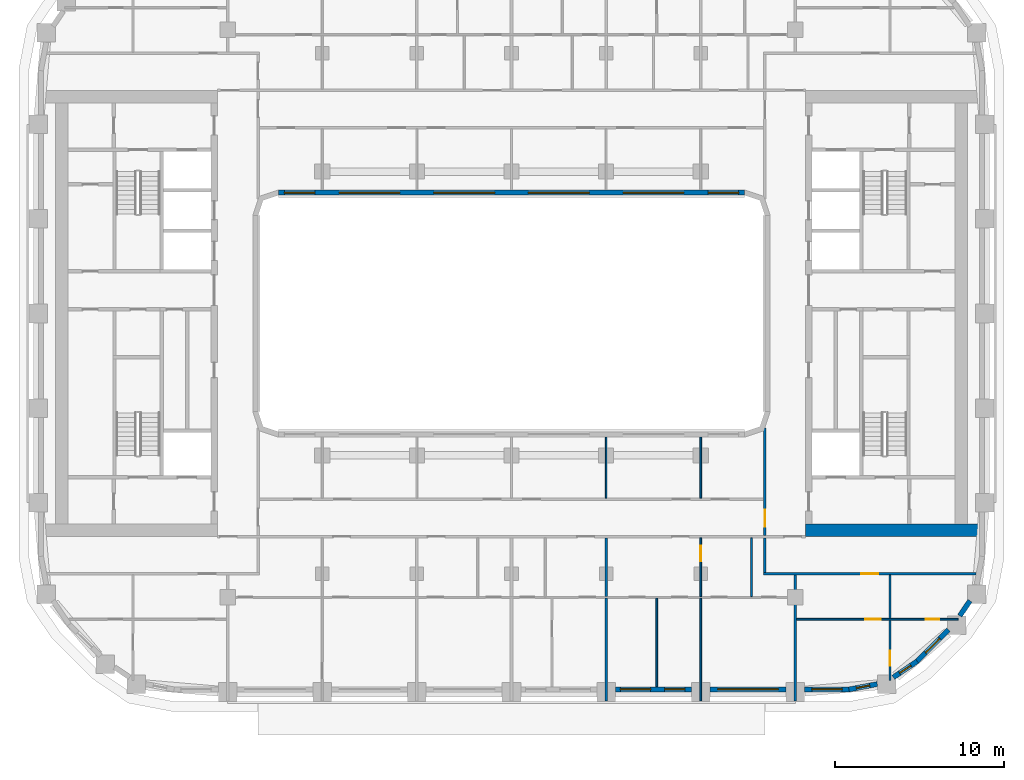
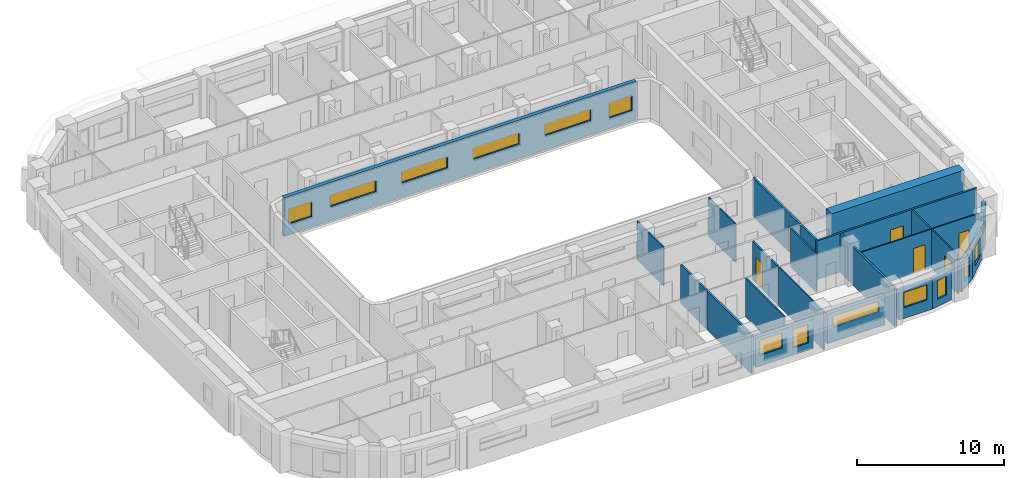
# One storey, part 5 of 22: 24 walls, 13 windows, 6 doors, 19 openings.
"""IFC4 building model written with IfcOpenShell, lengths in metres."""

from ifc_helpers import new_model, si_unit, direction, frame, frame_2d, origin, place, context, subcontext, project, spatial, rectangle, extrude, material, layer, layer_set, type_object, element, fill, save


model = new_model("IFC4")

# Units and contexts
model_context = context("Model", 3, precision=1e-05, world=origin(), true_north=direction((0.0, 1.0)))
body_context = subcontext(model_context, "Body", "Model", "MODEL_VIEW")
ifc_project = project(units=[si_unit("LENGTHUNIT", "METRE"), si_unit("AREAUNIT", "SQUARE_METRE"), si_unit("VOLUMEUNIT", "CUBIC_METRE"), si_unit("PLANEANGLEUNIT", "RADIAN"), si_unit("MASSUNIT", "GRAM", prefix="KILO")], contexts=[model_context])

# Site, building, storey
site_placement = place(None, origin())
site = spatial("IfcSite", under=ifc_project, at=site_placement, CompositionType="ELEMENT")
building_placement = place(site_placement, origin())
building = spatial("IfcBuilding", under=site, at=building_placement, Name="Kiln Ring Residences", CompositionType="ELEMENT")
storey_placement = place(building_placement, frame((0.0, 0.0, 143.10009765625)))
storey = spatial("IfcBuildingStorey", under=building, at=storey_placement, Name="L36", CompositionType="ELEMENT", Elevation=143.10009765625)

# Wall
ifc_material_1 = material(Name="Concrete C60/75", Category="concrete")
ifc_layer_1 = layer(ifc_material_1, 0.75)
ifc_layer_set_1 = layer_set([ifc_layer_1], Name="CORE-WALL-RC750")
wall_type_1 = type_object("IfcWallType", Name="CORE-WALL-RC750", PredefinedType="SHEAR", material=ifc_layer_set_1)
wall_1_placement = place(storey_placement, frame((17.39990234375, -12.824951171875, 0.0), z_axis=(0.0, 0.0, 1.0), x_axis=(1.0, 0.0, 0.0)))
element("IfcWall", 1, at=wall_1_placement, inside=storey, type_object=wall_type_1, Name="Core wall east L36 5", PredefinedType="SHEAR", context=body_context, shape_type="SweptSolid", body=[
    extrude(rectangle(XDim=10.400146484375, YDim=0.75, at=frame_2d((5.2001953125, 0.0))), origin(), (0.0, 0.0, 1.0), 3.199951171875),
])

# Wall, openings, windows
ifc_material_2 = material(Name="Brick masonry, dark clay brick", Category="masonry")
ifc_layer_2 = layer(ifc_material_2, 0.300048828125)
ifc_layer_set_2 = layer_set([ifc_layer_2], Name="EW-300 BRICK WALL")
wall_type_2 = type_object("IfcWallType", Name="EW-300 BRICK WALL", PredefinedType="SOLIDWALL", material=ifc_layer_set_2)
wall_2_placement = place(storey_placement, frame((6.14990234375, -22.25, 0.0), z_axis=(0.0, 0.0, 1.0), x_axis=(1.0, 0.0, 0.0)))
wall_2 = element("IfcWall", 2, at=wall_2_placement, inside=storey, type_object=wall_type_2, Name="Facade wall L36 9", PredefinedType="SOLIDWALL", context=body_context, shape_type="SweptSolid", body=[
    extrude(rectangle(XDim=4.5, YDim=0.300048828125, at=frame_2d((2.25, 0.0))), origin(), (0.0, 0.0, 1.0), 2.449951171875),
])
opening_1_placement = place(wall_2_placement, frame((0.28759765625, 0.0, 0.89990234375)))
opening_1 = element("IfcOpeningElement", 3, at=opening_1_placement, cuts=wall_2, Name="Opening W2", PredefinedType="OPENING", context=body_context, shape_type="SweptSolid", body=[
    extrude(rectangle(XDim=1.800048828125, YDim=1.25, at=frame_2d((0.89990234375, 0.625))), frame((0.0, 0.159912109375, 0.0), z_axis=(0.0, -1.0, 0.0), x_axis=(1.0, 0.0, 0.0)), (0.0, 0.0, 1.0), 0.320068359375),
])
opening_2_placement = place(wall_2_placement, frame((2.91259765625, 0.0, 0.60009765625)))
opening_2 = element("IfcOpeningElement", 4, at=opening_2_placement, cuts=wall_2, Name="Opening W1", PredefinedType="OPENING", context=body_context, shape_type="SweptSolid", body=[
    extrude(rectangle(XDim=1.199951171875, YDim=1.550048828125, at=frame_2d((0.60009765625, 0.77490234375))), frame((0.0, 0.159912109375, 0.0), z_axis=(0.0, -1.0, 0.0), x_axis=(1.0, 0.0, 0.0)), (0.0, 0.0, 1.0), 0.320068359375),
])
ifc_material_3 = material(Name="Aluminium frame with double glazing", Category="aluminium")
window_type_1 = type_object("IfcWindowType", Name="WINDOW 1200 x 1550", PartitioningType="SINGLE_PANEL", PredefinedType="WINDOW", material=ifc_material_3)
window_1_placement = place(opening_2_placement, origin())
window_1 = element("IfcWindow", 5, at=window_1_placement, inside=storey, type_object=window_type_1, Name="Window L36 10", OverallHeight=1.550048828125, OverallWidth=1.199951171875, PartitioningType="SINGLE_PANEL", PredefinedType="WINDOW", context=body_context, shape_type="SweptSolid", body=[
    extrude(rectangle(XDim=1.199951171875, YDim=1.550048828125, at=frame_2d((0.60009765625, 0.77490234375))), frame((0.0, 0.030029296875, 0.0), z_axis=(0.0, -1.0, 0.0), x_axis=(1.0, 0.0, 0.0)), (0.0, 0.0, 1.0), 0.06005859375),
])
fill(opening_2, window_1)
ifc_material_4 = material(Name="Aluminium frame with double glazing", Category="aluminium")
window_type_2 = type_object("IfcWindowType", Name="WINDOW 1800 x 1250", PartitioningType="SINGLE_PANEL", PredefinedType="WINDOW", material=ifc_material_4)
window_2_placement = place(opening_1_placement, origin())
window_2 = element("IfcWindow", 6, at=window_2_placement, inside=storey, type_object=window_type_2, Name="Window L36 9", OverallHeight=1.25, OverallWidth=1.800048828125, PartitioningType="SINGLE_PANEL", PredefinedType="WINDOW", context=body_context, shape_type="SweptSolid", body=[
    extrude(rectangle(XDim=1.800048828125, YDim=1.25, at=frame_2d((0.89990234375, 0.625))), frame((0.0, 0.030029296875, 0.0), z_axis=(0.0, -1.0, 0.0), x_axis=(1.0, 0.0, 0.0)), (0.0, 0.0, 1.0), 0.06005859375),
])
fill(opening_1, window_2)

# Wall, opening, window
wall_3_placement = place(storey_placement, frame((11.75, -22.25, 0.0), z_axis=(0.0, 0.0, 1.0), x_axis=(1.0, 0.0, 0.0)))
wall_3 = element("IfcWall", 7, at=wall_3_placement, inside=storey, type_object=wall_type_2, Name="Facade wall L36 10", PredefinedType="SOLIDWALL", context=body_context, shape_type="SweptSolid", body=[
    extrude(rectangle(XDim=4.5, YDim=0.300048828125, at=frame_2d((2.25, 0.0))), origin(), (0.0, 0.0, 1.0), 2.449951171875),
])
opening_3_placement = place(wall_3_placement, frame((0.449951171875, 0.0, 1.199951171875)))
opening_3 = element("IfcOpeningElement", 8, at=opening_3_placement, cuts=wall_3, Name="Opening W4", PredefinedType="OPENING", context=body_context, shape_type="SweptSolid", body=[
    extrude(rectangle(XDim=3.60009765625, YDim=0.949951171875, at=frame_2d((1.800048828125, 0.47509765625))), frame((0.0, 0.159912109375, 0.0), z_axis=(0.0, -1.0, 0.0), x_axis=(1.0, 0.0, 0.0)), (0.0, 0.0, 1.0), 0.320068359375),
])
ifc_material_5 = material(Name="Aluminium frame with double glazing", Category="aluminium")
window_type_3 = type_object("IfcWindowType", Name="WINDOW 3600 x 950", PartitioningType="SINGLE_PANEL", PredefinedType="WINDOW", material=ifc_material_5)
window_3_placement = place(opening_3_placement, origin())
window_3 = element("IfcWindow", 9, at=window_3_placement, inside=storey, type_object=window_type_3, Name="Window L36 11", OverallHeight=0.949951171875, OverallWidth=3.60009765625, PartitioningType="SINGLE_PANEL", PredefinedType="WINDOW", context=body_context, shape_type="SweptSolid", body=[
    extrude(rectangle(XDim=3.60009765625, YDim=0.949951171875, at=frame_2d((1.800048828125, 0.47509765625))), frame((0.0, 0.030029296875, 0.0), z_axis=(0.0, -1.0, 0.0), x_axis=(1.0, 0.0, 0.0)), (0.0, 0.0, 1.0), 0.06005859375),
])
fill(opening_3, window_3)

wall_4_placement = place(storey_placement, frame((17.35009765625, -22.25, 0.0), z_axis=(0.0, 0.0, 1.0), x_axis=(1.0, 0.0, 0.0)))
wall_4 = element("IfcWall", 10, at=wall_4_placement, inside=storey, type_object=wall_type_2, Name="Facade wall L36 11", PredefinedType="SOLIDWALL", context=body_context, shape_type="SweptSolid", body=[
    extrude(rectangle(XDim=2.64990234375, YDim=0.300048828125, at=frame_2d((1.324951171875, 0.0))), origin(), (0.0, 0.0, 1.0), 2.449951171875),
])
opening_4_placement = place(wall_4_placement, frame((0.425048828125, 0.0, 0.89990234375)))
opening_4 = element("IfcOpeningElement", 11, at=opening_4_placement, cuts=wall_4, Name="Opening W2", PredefinedType="OPENING", context=body_context, shape_type="SweptSolid", body=[
    extrude(rectangle(XDim=1.800048828125, YDim=1.25, at=frame_2d((0.89990234375, 0.625))), frame((0.0, 0.159912109375, 0.0), z_axis=(0.0, -1.0, 0.0), x_axis=(1.0, 0.0, 0.0)), (0.0, 0.0, 1.0), 0.320068359375),
])
window_4_placement = place(opening_4_placement, origin())
window_4 = element("IfcWindow", 12, at=window_4_placement, inside=storey, type_object=window_type_2, Name="Window L36 12", OverallHeight=1.25, OverallWidth=1.800048828125, PartitioningType="SINGLE_PANEL", PredefinedType="WINDOW", context=body_context, shape_type="SweptSolid", body=[
    extrude(rectangle(XDim=1.800048828125, YDim=1.25, at=frame_2d((0.89990234375, 0.625))), frame((0.0, 0.030029296875, 0.0), z_axis=(0.0, -1.0, 0.0), x_axis=(1.0, 0.0, 0.0)), (0.0, 0.0, 1.0), 0.06005859375),
])
fill(opening_4, window_4)

wall_5_placement = place(storey_placement, frame((19.971923828125, -22.252685546875, 0.0), z_axis=(0.0, 0.0, 1.0), x_axis=(0.982297206936, 0.187329114784, 0.0)))
wall_5 = element("IfcWall", 13, at=wall_5_placement, inside=storey, type_object=wall_type_2, Name="Facade wall L36 12", PredefinedType="SOLIDWALL", context=body_context, shape_type="SweptSolid", body=[
    extrude(rectangle(XDim=1.7060546875, YDim=0.300048828125, at=frame_2d((0.85302734375, 0.0))), origin(), (0.0, 0.0, 1.0), 2.449951171875),
])
opening_5_placement = place(wall_5_placement, frame((0.453125, 0.0, 0.60009765625)))
opening_5 = element("IfcOpeningElement", 14, at=opening_5_placement, cuts=wall_5, Name="Opening W5", PredefinedType="OPENING", context=body_context, shape_type="SweptSolid", body=[
    extrude(rectangle(XDim=0.800048828125, YDim=1.550048828125, at=frame_2d((0.39990234375, 0.77490234375))), frame((0.0, 0.159912109375, 0.0), z_axis=(0.0, -1.0, 0.0), x_axis=(1.0, 0.0, 0.0)), (0.0, 0.0, 1.0), 0.320068359375),
])
ifc_material_6 = material(Name="Aluminium frame with double glazing", Category="aluminium")
window_type_4 = type_object("IfcWindowType", Name="WINDOW 800 x 1550", PartitioningType="SINGLE_PANEL", PredefinedType="WINDOW", material=ifc_material_6)
window_5_placement = place(opening_5_placement, origin())
window_5 = element("IfcWindow", 15, at=window_5_placement, inside=storey, type_object=window_type_4, Name="Window L36 13", OverallHeight=1.550048828125, OverallWidth=0.800048828125, PartitioningType="SINGLE_PANEL", PredefinedType="WINDOW", context=body_context, shape_type="SweptSolid", body=[
    extrude(rectangle(XDim=0.800048828125, YDim=1.550048828125, at=frame_2d((0.39990234375, 0.77490234375))), frame((0.0, 0.030029296875, 0.0), z_axis=(0.0, -1.0, 0.0), x_axis=(1.0, 0.0, 0.0)), (0.0, 0.0, 1.0), 0.06005859375),
])
fill(opening_5, window_5)

wall_6_placement = place(storey_placement, frame((22.601806640625, -21.537841796875, 0.0), z_axis=(0.0, 0.0, 1.0), x_axis=(0.827040942766, 0.562141689424, 0.0)))
wall_6 = element("IfcWall", 16, at=wall_6_placement, inside=storey, type_object=wall_type_2, Name="Facade wall L36 13", PredefinedType="SOLIDWALL", context=body_context, shape_type="SweptSolid", body=[
    extrude(rectangle(XDim=1.7060546875, YDim=0.300048828125, at=frame_2d((0.85302734375, 0.0))), origin(), (0.0, 0.0, 1.0), 2.449951171875),
])
opening_6_placement = place(wall_6_placement, frame((0.453125, 0.0, 0.60009765625)))
opening_6 = element("IfcOpeningElement", 17, at=opening_6_placement, cuts=wall_6, Name="Opening W5", PredefinedType="OPENING", context=body_context, shape_type="SweptSolid", body=[
    extrude(rectangle(XDim=0.800048828125, YDim=1.550048828125, at=frame_2d((0.39990234375, 0.77490234375))), frame((0.0, 0.159912109375, 0.0), z_axis=(0.0, -1.0, 0.0), x_axis=(1.0, 0.0, 0.0)), (0.0, 0.0, 1.0), 0.320068359375),
])
window_6_placement = place(opening_6_placement, origin())
window_6 = element("IfcWindow", 18, at=window_6_placement, inside=storey, type_object=window_type_4, Name="Window L36 14", OverallHeight=1.550048828125, OverallWidth=0.800048828125, PartitioningType="SINGLE_PANEL", PredefinedType="WINDOW", context=body_context, shape_type="SweptSolid", body=[
    extrude(rectangle(XDim=0.800048828125, YDim=1.550048828125, at=frame_2d((0.39990234375, 0.77490234375))), frame((0.0, 0.030029296875, 0.0), z_axis=(0.0, -1.0, 0.0), x_axis=(1.0, 0.0, 0.0)), (0.0, 0.0, 1.0), 0.06005859375),
])
fill(opening_6, window_6)

wall_7_placement = place(storey_placement, frame((23.990966796875, -20.596923828125, 0.0), z_axis=(0.0, 0.0, 1.0), x_axis=(0.707106781187, 0.707106781187, 0.0)))
wall_7 = element("IfcWall", 19, at=wall_7_placement, inside=storey, type_object=wall_type_2, Name="Facade wall L36 14", PredefinedType="SOLIDWALL", context=body_context, shape_type="SweptSolid", body=[
    extrude(rectangle(XDim=2.64990234375, YDim=0.300048828125, at=frame_2d((1.324951171875, 0.0))), origin(), (0.0, 0.0, 1.0), 2.449951171875),
])
opening_7_placement = place(wall_7_placement, frame((0.72509765625, 0.0, 0.60009765625)))
opening_7 = element("IfcOpeningElement", 20, at=opening_7_placement, cuts=wall_7, Name="Opening W1", PredefinedType="OPENING", context=body_context, shape_type="SweptSolid", body=[
    extrude(rectangle(XDim=1.199951171875, YDim=1.550048828125, at=frame_2d((0.60009765625, 0.77490234375))), frame((0.0, 0.159912109375, 0.0), z_axis=(0.0, -1.0, 0.0), x_axis=(1.0, 0.0, 0.0)), (0.0, 0.0, 1.0), 0.320068359375),
])
window_7_placement = place(opening_7_placement, origin())
window_7 = element("IfcWindow", 21, at=window_7_placement, inside=storey, type_object=window_type_1, Name="Window L36 15", OverallHeight=1.550048828125, OverallWidth=1.199951171875, PartitioningType="SINGLE_PANEL", PredefinedType="WINDOW", context=body_context, shape_type="SweptSolid", body=[
    extrude(rectangle(XDim=1.199951171875, YDim=1.550048828125, at=frame_2d((0.60009765625, 0.77490234375))), frame((0.0, 0.030029296875, 0.0), z_axis=(0.0, -1.0, 0.0), x_axis=(1.0, 0.0, 0.0)), (0.0, 0.0, 1.0), 0.06005859375),
])
fill(opening_7, window_7)

# Wall
wall_8_placement = place(storey_placement, frame((26.532470703125, -17.892578125, 0.0), z_axis=(0.0, 0.0, 1.0), x_axis=(0.562105419172, 0.82706559458, 0.0)))
element("IfcWall", 22, at=wall_8_placement, inside=storey, type_object=wall_type_2, Name="Facade wall L36 15", PredefinedType="SOLIDWALL", context=body_context, shape_type="SweptSolid", body=[
    extrude(rectangle(XDim=1.0771484375, YDim=0.300048828125, at=frame_2d((0.53857421875, 0.0))), origin(), (0.0, 0.0, 1.0), 3.199951171875),
])

# Wall, openings, windows
wall_9_placement = place(storey_placement, frame((-13.800048828125, 7.14990234375, 0.0), z_axis=(0.0, 0.0, 1.0), x_axis=(1.0, 0.0, 0.0)))
wall_9 = element("IfcWall", 23, at=wall_9_placement, inside=storey, type_object=wall_type_2, Name="Facade wall L36 50", PredefinedType="SOLIDWALL", context=body_context, shape_type="SweptSolid", body=[
    extrude(rectangle(XDim=27.60009765625, YDim=0.300048828125, at=frame_2d((13.800048828125, 0.0))), origin(), (0.0, 0.0, 1.0), 3.199951171875),
])
opening_8_placement = place(wall_9_placement, frame((0.362548828125, 0.0, 0.89990234375)))
opening_8 = element("IfcOpeningElement", 24, at=opening_8_placement, cuts=wall_9, Name="Opening W2", PredefinedType="OPENING", context=body_context, shape_type="SweptSolid", body=[
    extrude(rectangle(XDim=1.800048828125, YDim=1.25, at=frame_2d((0.89990234375, 0.625))), frame((0.0, 0.159912109375, 0.0), z_axis=(0.0, -1.0, 0.0), x_axis=(1.0, 0.0, 0.0)), (0.0, 0.0, 1.0), 0.320068359375),
])
opening_9_placement = place(wall_9_placement, frame((3.60009765625, 0.0, 1.199951171875)))
opening_9 = element("IfcOpeningElement", 25, at=opening_9_placement, cuts=wall_9, Name="Opening W4", PredefinedType="OPENING", context=body_context, shape_type="SweptSolid", body=[
    extrude(rectangle(XDim=3.60009765625, YDim=0.949951171875, at=frame_2d((1.800048828125, 0.47509765625))), frame((0.0, 0.159912109375, 0.0), z_axis=(0.0, -1.0, 0.0), x_axis=(1.0, 0.0, 0.0)), (0.0, 0.0, 1.0), 0.320068359375),
])
opening_10_placement = place(wall_9_placement, frame((9.199951171875, 0.0, 1.199951171875)))
opening_10 = element("IfcOpeningElement", 26, at=opening_10_placement, cuts=wall_9, Name="Opening W4", PredefinedType="OPENING", context=body_context, shape_type="SweptSolid", body=[
    extrude(rectangle(XDim=3.60009765625, YDim=0.949951171875, at=frame_2d((1.800048828125, 0.47509765625))), frame((0.0, 0.159912109375, 0.0), z_axis=(0.0, -1.0, 0.0), x_axis=(1.0, 0.0, 0.0)), (0.0, 0.0, 1.0), 0.320068359375),
])
opening_11_placement = place(wall_9_placement, frame((14.800048828125, 0.0, 1.199951171875)))
opening_11 = element("IfcOpeningElement", 27, at=opening_11_placement, cuts=wall_9, Name="Opening W4", PredefinedType="OPENING", context=body_context, shape_type="SweptSolid", body=[
    extrude(rectangle(XDim=3.60009765625, YDim=0.949951171875, at=frame_2d((1.800048828125, 0.47509765625))), frame((0.0, 0.159912109375, 0.0), z_axis=(0.0, -1.0, 0.0), x_axis=(1.0, 0.0, 0.0)), (0.0, 0.0, 1.0), 0.320068359375),
])
opening_12_placement = place(wall_9_placement, frame((20.39990234375, 0.0, 1.199951171875)))
opening_12 = element("IfcOpeningElement", 28, at=opening_12_placement, cuts=wall_9, Name="Opening W4", PredefinedType="OPENING", context=body_context, shape_type="SweptSolid", body=[
    extrude(rectangle(XDim=3.60009765625, YDim=0.949951171875, at=frame_2d((1.800048828125, 0.47509765625))), frame((0.0, 0.159912109375, 0.0), z_axis=(0.0, -1.0, 0.0), x_axis=(1.0, 0.0, 0.0)), (0.0, 0.0, 1.0), 0.320068359375),
])
opening_13_placement = place(wall_9_placement, frame((25.4375, 0.0, 0.89990234375)))
opening_13 = element("IfcOpeningElement", 29, at=opening_13_placement, cuts=wall_9, Name="Opening W2", PredefinedType="OPENING", context=body_context, shape_type="SweptSolid", body=[
    extrude(rectangle(XDim=1.800048828125, YDim=1.25, at=frame_2d((0.89990234375, 0.625))), frame((0.0, 0.159912109375, 0.0), z_axis=(0.0, -1.0, 0.0), x_axis=(1.0, 0.0, 0.0)), (0.0, 0.0, 1.0), 0.320068359375),
])
window_8_placement = place(opening_8_placement, origin())
window_8 = element("IfcWindow", 30, at=window_8_placement, inside=storey, type_object=window_type_2, Name="Window L36 33", OverallHeight=1.25, OverallWidth=1.800048828125, PartitioningType="SINGLE_PANEL", PredefinedType="WINDOW", context=body_context, shape_type="SweptSolid", body=[
    extrude(rectangle(XDim=1.800048828125, YDim=1.25, at=frame_2d((0.89990234375, 0.625))), frame((0.0, 0.030029296875, 0.0), z_axis=(0.0, -1.0, 0.0), x_axis=(1.0, 0.0, 0.0)), (0.0, 0.0, 1.0), 0.06005859375),
])
fill(opening_8, window_8)
window_9_placement = place(opening_13_placement, origin())
window_9 = element("IfcWindow", 31, at=window_9_placement, inside=storey, type_object=window_type_2, Name="Window L36 38", OverallHeight=1.25, OverallWidth=1.800048828125, PartitioningType="SINGLE_PANEL", PredefinedType="WINDOW", context=body_context, shape_type="SweptSolid", body=[
    extrude(rectangle(XDim=1.800048828125, YDim=1.25, at=frame_2d((0.89990234375, 0.625))), frame((0.0, 0.030029296875, 0.0), z_axis=(0.0, -1.0, 0.0), x_axis=(1.0, 0.0, 0.0)), (0.0, 0.0, 1.0), 0.06005859375),
])
fill(opening_13, window_9)
window_10_placement = place(opening_9_placement, origin())
window_10 = element("IfcWindow", 32, at=window_10_placement, inside=storey, type_object=window_type_3, Name="Window L36 34", OverallHeight=0.949951171875, OverallWidth=3.60009765625, PartitioningType="SINGLE_PANEL", PredefinedType="WINDOW", context=body_context, shape_type="SweptSolid", body=[
    extrude(rectangle(XDim=3.60009765625, YDim=0.949951171875, at=frame_2d((1.800048828125, 0.47509765625))), frame((0.0, 0.030029296875, 0.0), z_axis=(0.0, -1.0, 0.0), x_axis=(1.0, 0.0, 0.0)), (0.0, 0.0, 1.0), 0.06005859375),
])
fill(opening_9, window_10)
window_11_placement = place(opening_10_placement, origin())
window_11 = element("IfcWindow", 33, at=window_11_placement, inside=storey, type_object=window_type_3, Name="Window L36 35", OverallHeight=0.949951171875, OverallWidth=3.60009765625, PartitioningType="SINGLE_PANEL", PredefinedType="WINDOW", context=body_context, shape_type="SweptSolid", body=[
    extrude(rectangle(XDim=3.60009765625, YDim=0.949951171875, at=frame_2d((1.800048828125, 0.47509765625))), frame((0.0, 0.030029296875, 0.0), z_axis=(0.0, -1.0, 0.0), x_axis=(1.0, 0.0, 0.0)), (0.0, 0.0, 1.0), 0.06005859375),
])
fill(opening_10, window_11)
window_12_placement = place(opening_11_placement, origin())
window_12 = element("IfcWindow", 34, at=window_12_placement, inside=storey, type_object=window_type_3, Name="Window L36 36", OverallHeight=0.949951171875, OverallWidth=3.60009765625, PartitioningType="SINGLE_PANEL", PredefinedType="WINDOW", context=body_context, shape_type="SweptSolid", body=[
    extrude(rectangle(XDim=3.60009765625, YDim=0.949951171875, at=frame_2d((1.800048828125, 0.47509765625))), frame((0.0, 0.030029296875, 0.0), z_axis=(0.0, -1.0, 0.0), x_axis=(1.0, 0.0, 0.0)), (0.0, 0.0, 1.0), 0.06005859375),
])
fill(opening_11, window_12)
window_13_placement = place(opening_12_placement, origin())
window_13 = element("IfcWindow", 35, at=window_13_placement, inside=storey, type_object=window_type_3, Name="Window L36 37", OverallHeight=0.949951171875, OverallWidth=3.60009765625, PartitioningType="SINGLE_PANEL", PredefinedType="WINDOW", context=body_context, shape_type="SweptSolid", body=[
    extrude(rectangle(XDim=3.60009765625, YDim=0.949951171875, at=frame_2d((1.800048828125, 0.47509765625))), frame((0.0, 0.030029296875, 0.0), z_axis=(0.0, -1.0, 0.0), x_axis=(1.0, 0.0, 0.0)), (0.0, 0.0, 1.0), 0.06005859375),
])
fill(opening_12, window_13)

# Wall, openings, doors
ifc_material_7 = material(Name="Gypsum board on steel studs", Category="steel")
ifc_layer_3 = layer(ifc_material_7, 0.10009765625)
ifc_layer_set_3 = layer_set([ifc_layer_3], Name="PARTITION-100")
wall_type_3 = type_object("IfcWallType", Name="PARTITION-100", PredefinedType="PARTITIONING", material=ifc_layer_set_3)
wall_10_placement = place(storey_placement, frame((16.875, -18.10009765625, 0.0), z_axis=(0.0, 0.0, 1.0), x_axis=(1.0, 0.0, 0.0)))
wall_10 = element("IfcWall", 36, at=wall_10_placement, inside=storey, type_object=wall_type_3, Name="Partition 001", PredefinedType="PARTITIONING", context=body_context, shape_type="SweptSolid", body=[
    extrude(rectangle(XDim=9.56494140625, YDim=0.10009765625, at=frame_2d((4.782470703125, 0.0))), origin(), (0.0, 0.0, 1.0), 3.199951171875),
])
opening_14_placement = place(wall_10_placement, frame((7.638916015625, 0.0, 0.0)))
opening_14 = element("IfcOpeningElement", 37, at=opening_14_placement, cuts=wall_10, Name="Opening L36-D067", PredefinedType="OPENING", context=body_context, shape_type="SweptSolid", body=[
    extrude(rectangle(XDim=0.800048828125, YDim=2.10009765625, at=frame_2d((0.39990234375, 1.050048828125))), frame((0.0, 0.06005859375, 0.0), z_axis=(0.0, -1.0, 0.0), x_axis=(1.0, 0.0, 0.0)), (0.0, 0.0, 1.0), 0.1201171875),
])
opening_15_placement = place(wall_10_placement, frame((4.074951171875, 0.0, 0.0)))
opening_15 = element("IfcOpeningElement", 38, at=opening_15_placement, cuts=wall_10, Name="Opening L36-D068", PredefinedType="OPENING", context=body_context, shape_type="SweptSolid", body=[
    extrude(rectangle(XDim=0.89990234375, YDim=2.10009765625, at=frame_2d((0.449951171875, 1.050048828125))), frame((0.0, 0.06005859375, 0.0), z_axis=(0.0, -1.0, 0.0), x_axis=(1.0, 0.0, 0.0)), (0.0, 0.0, 1.0), 0.1201171875),
])
ifc_material_8 = material(Name="Timber door leaf", Category="wood")
door_type_1 = type_object("IfcDoorType", Name="FLAT-DOOR-800-PL", OperationType="SINGLE_SWING_LEFT", PredefinedType="DOOR", material=ifc_material_8)
door_1_placement = place(opening_14_placement, origin())
door_1 = element("IfcDoor", 39, at=door_1_placement, inside=storey, type_object=door_type_1, Name="Door L36-D067", OperationType="SINGLE_SWING_LEFT", OverallHeight=2.10009765625, OverallWidth=0.800048828125, PredefinedType="DOOR", context=body_context, shape_type="SweptSolid", body=[
    extrude(rectangle(XDim=0.800048828125, YDim=2.10009765625, at=frame_2d((0.39990234375, 1.050048828125))), frame((0.0, 0.02490234375, 0.0), z_axis=(0.0, -1.0, 0.0), x_axis=(1.0, 0.0, 0.0)), (0.0, 0.0, 1.0), 0.050048828125),
])
fill(opening_14, door_1)
ifc_material_9 = material(Name="Timber door leaf", Category="wood")
door_type_2 = type_object("IfcDoorType", Name="FLAT-DOOR-900-PL", OperationType="SINGLE_SWING_LEFT", PredefinedType="DOOR", material=ifc_material_9)
door_2_placement = place(opening_15_placement, origin())
door_2 = element("IfcDoor", 40, at=door_2_placement, inside=storey, type_object=door_type_2, Name="Door L36-D068", OperationType="SINGLE_SWING_RIGHT", OverallHeight=2.10009765625, OverallWidth=0.89990234375, PredefinedType="DOOR", context=body_context, shape_type="SweptSolid", body=[
    extrude(rectangle(XDim=0.89990234375, YDim=2.10009765625, at=frame_2d((0.449951171875, 1.050048828125))), frame((0.0, 0.02490234375, 0.0), z_axis=(0.0, -1.0, 0.0), x_axis=(1.0, 0.0, 0.0)), (0.0, 0.0, 1.0), 0.050048828125),
])
fill(opening_15, door_2)

# Walls
wall_11_placement = place(storey_placement, frame((5.60009765625, -10.925048828125, 0.0), z_axis=(0.0, 0.0, 1.0), x_axis=(0.0, 1.0, 0.0)))
element("IfcWall", 41, at=wall_11_placement, inside=storey, type_object=wall_type_3, Name="Partition 049", PredefinedType="PARTITIONING", context=body_context, shape_type="SweptSolid", body=[
    extrude(rectangle(XDim=3.60498046875, YDim=0.10009765625, at=frame_2d((1.802490234375, 0.0))), origin(), (0.0, 0.0, 1.0), 3.199951171875),
])
wall_12_placement = place(storey_placement, frame((8.60009765625, -22.080078125, 0.0), z_axis=(0.0, 0.0, 1.0), x_axis=(0.0, 1.0, 0.0)))
element("IfcWall", 42, at=wall_12_placement, inside=storey, type_object=wall_type_3, Name="Partition 056", PredefinedType="PARTITIONING", context=body_context, shape_type="SweptSolid", body=[
    extrude(rectangle(XDim=5.22998046875, YDim=0.10009765625, at=frame_2d((2.614990234375, 0.0))), origin(), (0.0, 0.0, 1.0), 3.199951171875),
])
wall_13_placement = place(storey_placement, frame((11.199951171875, -22.929931640625, 0.0), z_axis=(0.0, 0.0, 1.0), x_axis=(0.0, 1.0, 0.0)))
element("IfcWall", 43, at=wall_13_placement, inside=storey, type_object=wall_type_3, Name="Partition 058", PredefinedType="PARTITIONING", context=body_context, shape_type="SweptSolid", body=[
    extrude(rectangle(XDim=6.079833984375, YDim=0.10009765625, at=frame_2d((3.0400390625, 0.0))), origin(), (0.0, 0.0, 1.0), 3.199951171875),
])

# Wall, opening, door
wall_14_placement = place(storey_placement, frame((11.199951171875, -16.75, 0.0), z_axis=(0.0, 0.0, 1.0), x_axis=(0.0, 1.0, 0.0)))
wall_14 = element("IfcWall", 44, at=wall_14_placement, inside=storey, type_object=wall_type_3, Name="Partition 059", PredefinedType="PARTITIONING", context=body_context, shape_type="SweptSolid", body=[
    extrude(rectangle(XDim=3.47509765625, YDim=0.10009765625, at=frame_2d((1.737548828125, 0.0))), origin(), (0.0, 0.0, 1.0), 3.199951171875),
])
opening_16_placement = place(wall_14_placement, frame((2.10009765625, 0.0, 0.0)))
opening_16 = element("IfcOpeningElement", 45, at=opening_16_placement, cuts=wall_14, Name="Opening L36-D061", PredefinedType="OPENING", context=body_context, shape_type="SweptSolid", body=[
    extrude(rectangle(XDim=0.89990234375, YDim=2.10009765625, at=frame_2d((0.449951171875, 1.050048828125))), frame((0.0, 0.06005859375, 0.0), z_axis=(0.0, -1.0, 0.0), x_axis=(1.0, 0.0, 0.0)), (0.0, 0.0, 1.0), 0.1201171875),
])
door_3_placement = place(opening_16_placement, origin())
door_3 = element("IfcDoor", 46, at=door_3_placement, inside=storey, type_object=door_type_2, Name="Door L36-D061", OperationType="SINGLE_SWING_RIGHT", OverallHeight=2.10009765625, OverallWidth=0.89990234375, PredefinedType="DOOR", context=body_context, shape_type="SweptSolid", body=[
    extrude(rectangle(XDim=0.89990234375, YDim=2.10009765625, at=frame_2d((0.449951171875, 1.050048828125))), frame((0.0, 0.02490234375, 0.0), z_axis=(0.0, -1.0, 0.0), x_axis=(1.0, 0.0, 0.0)), (0.0, 0.0, 1.0), 0.050048828125),
])
fill(opening_16, door_3)

# Walls
wall_15_placement = place(storey_placement, frame((11.199951171875, -10.925048828125, 0.0), z_axis=(0.0, 0.0, 1.0), x_axis=(0.0, 1.0, 0.0)))
element("IfcWall", 47, at=wall_15_placement, inside=storey, type_object=wall_type_3, Name="Partition 060", PredefinedType="PARTITIONING", context=body_context, shape_type="SweptSolid", body=[
    extrude(rectangle(XDim=3.60498046875, YDim=0.10009765625, at=frame_2d((1.802490234375, 0.0))), origin(), (0.0, 0.0, 1.0), 3.199951171875),
])
wall_16_placement = place(storey_placement, frame((14.199951171875, -16.75, 0.0), z_axis=(0.0, 0.0, 1.0), x_axis=(0.0, 1.0, 0.0)))
element("IfcWall", 48, at=wall_16_placement, inside=storey, type_object=wall_type_3, Name="Partition 066", PredefinedType="PARTITIONING", context=body_context, shape_type="SweptSolid", body=[
    extrude(rectangle(XDim=3.47509765625, YDim=0.10009765625, at=frame_2d((1.737548828125, 0.0))), origin(), (0.0, 0.0, 1.0), 3.199951171875),
])

# Wall, opening, door
wall_17_placement = place(storey_placement, frame((22.39990234375, -21.719970703125, 0.0), z_axis=(0.0, 0.0, 1.0), x_axis=(0.0, 1.0, 0.0)))
wall_17 = element("IfcWall", 49, at=wall_17_placement, inside=storey, type_object=wall_type_3, Name="Partition 073", PredefinedType="PARTITIONING", context=body_context, shape_type="SweptSolid", body=[
    extrude(rectangle(XDim=3.570068359375, YDim=0.10009765625, at=frame_2d((1.78515625, 0.0))), origin(), (0.0, 0.0, 1.0), 3.199951171875),
])
opening_17_placement = place(wall_17_placement, frame((0.8720703125, 0.0, 0.0)))
opening_17 = element("IfcOpeningElement", 50, at=opening_17_placement, cuts=wall_17, Name="Opening L36-D069", PredefinedType="OPENING", context=body_context, shape_type="SweptSolid", body=[
    extrude(rectangle(XDim=0.89990234375, YDim=2.10009765625, at=frame_2d((0.449951171875, 1.050048828125))), frame((0.0, 0.06005859375, 0.0), z_axis=(0.0, -1.0, 0.0), x_axis=(1.0, 0.0, 0.0)), (0.0, 0.0, 1.0), 0.1201171875),
])
door_4_placement = place(opening_17_placement, origin())
door_4 = element("IfcDoor", 51, at=door_4_placement, inside=storey, type_object=door_type_2, Name="Door L36-D069", OperationType="SINGLE_SWING_LEFT", OverallHeight=2.10009765625, OverallWidth=0.89990234375, PredefinedType="DOOR", context=body_context, shape_type="SweptSolid", body=[
    extrude(rectangle(XDim=0.89990234375, YDim=2.10009765625, at=frame_2d((0.449951171875, 1.050048828125))), frame((0.0, 0.02490234375, 0.0), z_axis=(0.0, -1.0, 0.0), x_axis=(1.0, 0.0, 0.0)), (0.0, 0.0, 1.0), 0.050048828125),
])
fill(opening_17, door_4)

# Wall
wall_18_placement = place(storey_placement, frame((22.39990234375, -18.050048828125, 0.0), z_axis=(0.0, 0.0, 1.0), x_axis=(0.0, 1.0, 0.0)))
element("IfcWall", 52, at=wall_18_placement, inside=storey, type_object=wall_type_3, Name="Partition 074", PredefinedType="PARTITIONING", context=body_context, shape_type="SweptSolid", body=[
    extrude(rectangle(XDim=2.574951171875, YDim=0.10009765625, at=frame_2d((1.28759765625, 0.0))), origin(), (0.0, 0.0, 1.0), 3.199951171875),
])

# Wall, opening, door
ifc_material_10 = material(Name="Brick masonry partition", Category="masonry")
ifc_layer_4 = layer(ifc_material_10, 0.14990234375)
ifc_layer_set_4 = layer_set([ifc_layer_4], Name="PARTITION-150-ei60")
wall_type_4 = type_object("IfcWallType", Name="PARTITION-150-ei60", PredefinedType="PARTITIONING", material=ifc_layer_set_4)
wall_19_placement = place(storey_placement, frame((14.925048828125, -15.39990234375, 0.0), z_axis=(0.0, 0.0, 1.0), x_axis=(1.0, 0.0, 0.0)))
wall_19 = element("IfcWall", 53, at=wall_19_placement, inside=storey, type_object=wall_type_4, Name="Partition 004", PredefinedType="PARTITIONING", context=body_context, shape_type="SweptSolid", body=[
    extrude(rectangle(XDim=12.558837890625, YDim=0.14990234375, at=frame_2d((6.279296875, 0.0))), origin(), (0.0, 0.0, 1.0), 3.199951171875),
])
opening_18_placement = place(wall_19_placement, frame((5.77490234375, 0.0, 0.0)))
opening_18 = element("IfcOpeningElement", 54, at=opening_18_placement, cuts=wall_19, Name="Opening L36-D066", PredefinedType="OPENING", context=body_context, shape_type="SweptSolid", body=[
    extrude(rectangle(XDim=1.0, YDim=2.10009765625, at=frame_2d((0.5, 1.050048828125))), frame((0.0, 0.0849609375, 0.0), z_axis=(0.0, -1.0, 0.0), x_axis=(1.0, 0.0, 0.0)), (0.0, 0.0, 1.0), 0.169921875),
])
ifc_material_11 = material(Name="Steel faced fire door leaf", Category="steel")
door_type_3 = type_object("IfcDoorType", Name="FLAT-DOOR-1000-FR", OperationType="SINGLE_SWING_LEFT", PredefinedType="DOOR", material=ifc_material_11)
door_5_placement = place(opening_18_placement, origin())
door_5 = element("IfcDoor", 55, at=door_5_placement, inside=storey, type_object=door_type_3, Name="Door L36-D066", OperationType="SINGLE_SWING_RIGHT", OverallHeight=2.10009765625, OverallWidth=1.0, PredefinedType="DOOR", context=body_context, shape_type="SweptSolid", body=[
    extrude(rectangle(XDim=1.0, YDim=2.10009765625, at=frame_2d((0.5, 1.050048828125))), frame((0.0, 0.02490234375, 0.0), z_axis=(0.0, -1.0, 0.0), x_axis=(1.0, 0.0, 0.0)), (0.0, 0.0, 1.0), 0.050048828125),
])
fill(opening_18, door_5)

# Walls
wall_20_placement = place(storey_placement, frame((5.60009765625, -22.929931640625, 0.0), z_axis=(0.0, 0.0, 1.0), x_axis=(0.0, 1.0, 0.0)))
element("IfcWall", 56, at=wall_20_placement, inside=storey, type_object=wall_type_4, Name="Partition 051", PredefinedType="PARTITIONING", context=body_context, shape_type="SweptSolid", body=[
    extrude(rectangle(XDim=6.079833984375, YDim=0.14990234375, at=frame_2d((3.0400390625, 0.0))), origin(), (0.0, 0.0, 1.0), 3.199951171875),
])
wall_21_placement = place(storey_placement, frame((5.60009765625, -16.75, 0.0), z_axis=(0.0, 0.0, 1.0), x_axis=(0.0, 1.0, 0.0)))
element("IfcWall", 57, at=wall_21_placement, inside=storey, type_object=wall_type_4, Name="Partition 052", PredefinedType="PARTITIONING", context=body_context, shape_type="SweptSolid", body=[
    extrude(rectangle(XDim=3.47509765625, YDim=0.14990234375, at=frame_2d((1.737548828125, 0.0))), origin(), (0.0, 0.0, 1.0), 3.199951171875),
])
wall_22_placement = place(storey_placement, frame((15.0, -15.324951171875, 0.0), z_axis=(0.0, 0.0, 1.0), x_axis=(0.0, 1.0, 0.0)))
element("IfcWall", 58, at=wall_22_placement, inside=storey, type_object=wall_type_4, Name="Partition 067", PredefinedType="PARTITIONING", context=body_context, shape_type="SweptSolid", body=[
    extrude(rectangle(XDim=2.050048828125, YDim=0.14990234375, at=frame_2d((1.02490234375, 0.0))), origin(), (0.0, 0.0, 1.0), 3.199951171875),
])

# Wall, opening, door
wall_23_placement = place(storey_placement, frame((15.0, -13.125, 0.0), z_axis=(0.0, 0.0, 1.0), x_axis=(0.0, 1.0, 0.0)))
wall_23 = element("IfcWall", 59, at=wall_23_placement, inside=storey, type_object=wall_type_4, Name="Partition 068", PredefinedType="PARTITIONING", context=body_context, shape_type="SweptSolid", body=[
    extrude(rectangle(XDim=6.356201171875, YDim=0.14990234375, at=frame_2d((3.17822265625, 0.0))), origin(), (0.0, 0.0, 1.0), 3.199951171875),
])
opening_19_placement = place(wall_23_placement, frame((0.49609375, 0.0, 0.0)))
opening_19 = element("IfcOpeningElement", 60, at=opening_19_placement, cuts=wall_23, Name="Opening L36-D006", PredefinedType="OPENING", context=body_context, shape_type="SweptSolid", body=[
    extrude(rectangle(XDim=1.0, YDim=2.10009765625, at=frame_2d((0.5, 1.050048828125))), frame((0.0, 0.0849609375, 0.0), z_axis=(0.0, -1.0, 0.0), x_axis=(1.0, 0.0, 0.0)), (0.0, 0.0, 1.0), 0.169921875),
])
door_6_placement = place(opening_19_placement, origin())
door_6 = element("IfcDoor", 61, at=door_6_placement, inside=storey, type_object=door_type_3, Name="Door L36-D006", OperationType="SINGLE_SWING_LEFT", OverallHeight=2.10009765625, OverallWidth=1.0, PredefinedType="DOOR", context=body_context, shape_type="SweptSolid", body=[
    extrude(rectangle(XDim=1.0, YDim=2.10009765625, at=frame_2d((0.5, 1.050048828125))), frame((0.0, 0.02490234375, 0.0), z_axis=(0.0, -1.0, 0.0), x_axis=(1.0, 0.0, 0.0)), (0.0, 0.0, 1.0), 0.050048828125),
])
fill(opening_19, door_6)

# Wall
wall_24_placement = place(storey_placement, frame((16.800048828125, -22.929931640625, 0.0), z_axis=(0.0, 0.0, 1.0), x_axis=(0.0, 1.0, 0.0)))
element("IfcWall", 62, at=wall_24_placement, inside=storey, type_object=wall_type_4, Name="Partition 071", PredefinedType="PARTITIONING", context=body_context, shape_type="SweptSolid", body=[
    extrude(rectangle(XDim=7.454833984375, YDim=0.14990234375, at=frame_2d((3.7275390625, 0.0))), origin(), (0.0, 0.0, 1.0), 3.199951171875),
])

save(model, "model.ifc")
